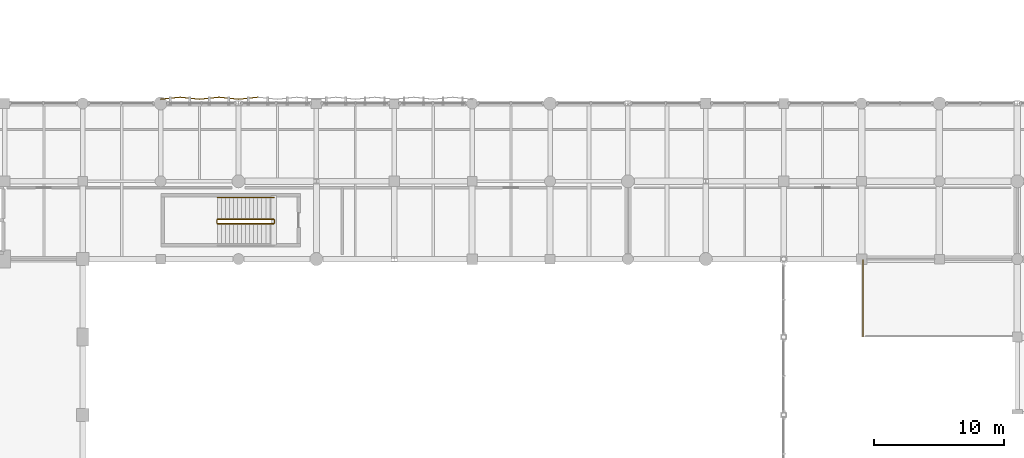
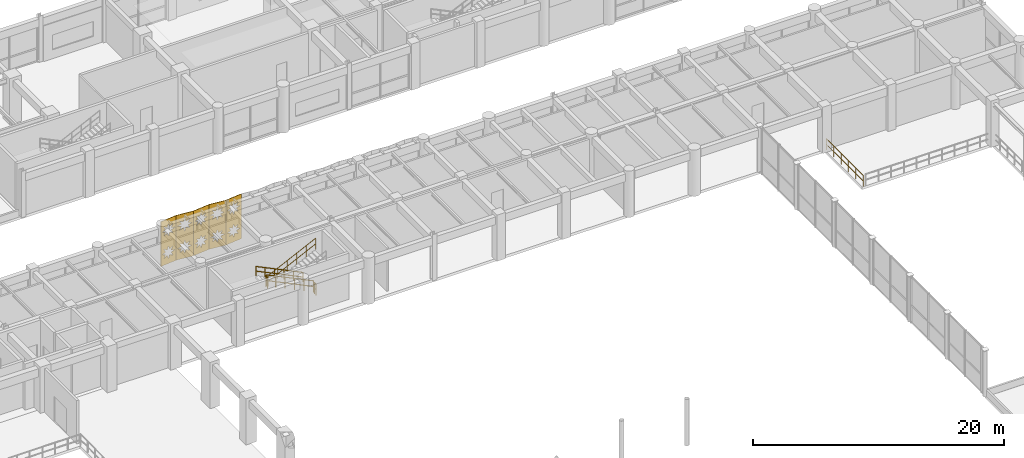
# One storey, part 128 of 133: 6 railings, 5 shading devices.
"""IFC4 building model written with IfcOpenShell, lengths in metres."""

from ifc_helpers import new_model, si_unit, direction, frame, origin, origin_2d, place, context, subcontext, project, spatial, polyline, circle, outline, extrude, material, layer, layer_set, type_object, element, save


model = new_model("IFC4")

# Units and contexts
model_context = context("Model", 3, precision=1e-05, world=origin(), true_north=direction((0.0, 1.0)))
body_context = subcontext(model_context, "Body", "Model", "MODEL_VIEW")
ifc_project = project(units=[si_unit("LENGTHUNIT", "METRE"), si_unit("AREAUNIT", "SQUARE_METRE"), si_unit("VOLUMEUNIT", "CUBIC_METRE"), si_unit("PLANEANGLEUNIT", "RADIAN"), si_unit("MASSUNIT", "GRAM", prefix="KILO"), si_unit("THERMODYNAMICTEMPERATUREUNIT", "KELVIN"), si_unit("POWERUNIT", "WATT")], contexts=[model_context])

# Site, building, storey
site_placement = place(None, origin())
site = spatial("IfcSite", under=ifc_project, at=site_placement, CompositionType="ELEMENT")
building_placement = place(site_placement, origin())
building = spatial("IfcBuilding", under=site, at=building_placement, Name="Phaisarnlok Congress Hotel", CompositionType="ELEMENT")
storey_placement = place(building_placement, frame((0.0, 0.0, 6.0)))
storey = spatial("IfcBuildingStorey", under=building, at=storey_placement, Name="L01", CompositionType="ELEMENT", Elevation=6.0)

# Railings
ifc_material_1 = material(Name="Laminated Glass & Stainless Steel Grade 316", Category="steel")
railing_type_1 = type_object("IfcRailingType", Name="RLG-INT-1100", PredefinedType="BALUSTRADE", material=ifc_material_1)
railing_1_placement = place(storey_placement, frame((126.1201171875, 78.050048828125, 0.0)))
element("IfcRailing", 1, at=railing_1_placement, inside=storey, type_object=railing_type_1, Name="Cloister gallery guard balustrade GD-02 (L01 north)", PredefinedType="BALUSTRADE", context=body_context, shape_type="SweptSolid", body=[
    extrude(circle(Radius=0.02392578125, at=origin_2d()), frame((0.0, 0.0, 1.076171875), z_axis=(0.0, 1.0, 0.0), x_axis=(-1.0, 0.0, 0.0)), (0.0, 0.0, 1.0), 5.869873046875),
    extrude(circle(Radius=0.02392578125, at=origin_2d()), frame((0.0, 0.0, 0.52587890625), z_axis=(0.0, 1.0, 0.0), x_axis=(-1.0, 0.0, 0.0)), (0.0, 0.0, 1.0), 5.869873046875),
    extrude(circle(Radius=0.02099609375, at=origin_2d()), origin(), (0.0, 0.0, 1.0), 1.052001953125),
    extrude(circle(Radius=0.02099609375, at=origin_2d()), frame((0.0, 1.174072265625, 0.0)), (0.0, 0.0, 1.0), 1.052001953125),
    extrude(circle(Radius=0.02099609375, at=origin_2d()), frame((0.0, 2.347900390625, 0.0)), (0.0, 0.0, 1.0), 1.052001953125),
    extrude(circle(Radius=0.02099609375, at=origin_2d()), frame((0.0, 3.52197265625, 0.0)), (0.0, 0.0, 1.0), 1.052001953125),
    extrude(circle(Radius=0.02099609375, at=origin_2d()), frame((0.0, 4.69580078125, 0.0)), (0.0, 0.0, 1.0), 1.052001953125),
    extrude(circle(Radius=0.02099609375, at=origin_2d()), frame((0.0, 5.869873046875, 0.0)), (0.0, 0.0, 1.0), 1.052001953125),
])
ifc_material_2 = material(Name="Painted Galvanised Steel S275", Category="steel")
railing_type_2 = type_object("IfcRailingType", Name="RLG-STR-GUARD", PredefinedType="BALUSTRADE", material=ifc_material_2)
railing_2_placement = place(storey_placement, frame((80.719970703125, 87.070068359375, 0.14990234375)))
element("IfcRailing", 2, at=railing_2_placement, inside=storey, type_object=railing_type_2, Name="L01 ST-11 stair guard 1", PredefinedType="BALUSTRADE", context=body_context, shape_type="SweptSolid", body=[
    extrude(circle(Radius=0.02392578125, at=origin_2d()), frame((0.0, 0.0, 1.076171875), z_axis=(-0.900154768424, 0.0, 0.435570192832), x_axis=(0.0, -1.0, 0.0)), (0.0, 0.0, 1.0), 4.821533203125),
    extrude(circle(Radius=0.02392578125, at=origin_2d()), frame((0.0, 0.0, 0.52587890625), z_axis=(-0.900154768424, 0.0, 0.435570192832), x_axis=(0.0, -1.0, 0.0)), (0.0, 0.0, 1.0), 4.821533203125),
    extrude(circle(Radius=0.02099609375, at=origin_2d()), origin(), (0.0, 0.0, 1.0), 1.052001953125),
    extrude(circle(Radius=0.02099609375, at=origin_2d()), frame((-0.867919921875, 0.0, 0.419921875)), (0.0, 0.0, 1.0), 1.052001953125),
    extrude(circle(Radius=0.02099609375, at=origin_2d()), frame((-1.736083984375, 0.0, 0.840087890625)), (0.0, 0.0, 1.0), 1.052001953125),
    extrude(circle(Radius=0.02099609375, at=origin_2d()), frame((-2.60400390625, 0.0, 1.260009765625)), (0.0, 0.0, 1.0), 1.052001953125),
    extrude(circle(Radius=0.02099609375, at=origin_2d()), frame((-3.47216796875, 0.0, 1.68017578125)), (0.0, 0.0, 1.0), 1.052001953125),
    extrude(circle(Radius=0.02099609375, at=origin_2d()), frame((-4.340087890625, 0.0, 2.10009765625)), (0.0, 0.0, 1.0), 1.052001953125),
])
railing_3_placement = place(storey_placement, frame((76.330078125, 87.02001953125, 2.25)))
element("IfcRailing", 3, at=railing_3_placement, inside=storey, type_object=railing_type_2, Name="L01 ST-11 stair guard 2", PredefinedType="BALUSTRADE", context=body_context, shape_type="SweptSolid", body=[
    extrude(circle(Radius=0.02392578125, at=origin_2d()), frame((0.0, 0.0, 1.076171875), z_axis=(0.0, -1.0, 0.0), x_axis=(1.0, 0.0, 0.0)), (0.0, 0.0, 1.0), 0.239990234375),
    extrude(circle(Radius=0.02392578125, at=origin_2d()), frame((0.0, 0.0, 0.52587890625), z_axis=(0.0, -1.0, 0.0), x_axis=(1.0, 0.0, 0.0)), (0.0, 0.0, 1.0), 0.239990234375),
    extrude(circle(Radius=0.02099609375, at=origin_2d()), origin(), (0.0, 0.0, 1.0), 1.052001953125),
    extrude(circle(Radius=0.02099609375, at=origin_2d()), frame((0.0, -0.239990234375, 0.0)), (0.0, 0.0, 1.0), 1.052001953125),
])
railing_4_placement = place(storey_placement, frame((76.3798828125, 86.72998046875, 2.39990234375)))
element("IfcRailing", 4, at=railing_4_placement, inside=storey, type_object=railing_type_2, Name="L01 ST-11 stair guard 3", PredefinedType="BALUSTRADE", context=body_context, shape_type="SweptSolid", body=[
    extrude(circle(Radius=0.02392578125, at=origin_2d()), frame((0.0, 0.0, 1.076171875), z_axis=(0.900154768424, 0.0, 0.435570192832), x_axis=(0.0, 1.0, 0.0)), (0.0, 0.0, 1.0), 4.821533203125),
    extrude(circle(Radius=0.02392578125, at=origin_2d()), frame((0.0, 0.0, 0.52587890625), z_axis=(0.900154768424, 0.0, 0.435570192832), x_axis=(0.0, 1.0, 0.0)), (0.0, 0.0, 1.0), 4.821533203125),
    extrude(circle(Radius=0.02099609375, at=origin_2d()), origin(), (0.0, 0.0, 1.0), 1.052001953125),
    extrude(circle(Radius=0.02099609375, at=origin_2d()), frame((0.867919921875, 0.0, 0.419921875)), (0.0, 0.0, 1.0), 1.052001953125),
    extrude(circle(Radius=0.02099609375, at=origin_2d()), frame((1.736083984375, 0.0, 0.840087890625)), (0.0, 0.0, 1.0), 1.052001953125),
    extrude(circle(Radius=0.02099609375, at=origin_2d()), frame((2.60400390625, 0.0, 1.260009765625)), (0.0, 0.0, 1.0), 1.052001953125),
    extrude(circle(Radius=0.02099609375, at=origin_2d()), frame((3.47216796875, 0.0, 1.68017578125)), (0.0, 0.0, 1.0), 1.052001953125),
    extrude(circle(Radius=0.02099609375, at=origin_2d()), frame((4.340087890625, 0.0, 2.10009765625)), (0.0, 0.0, 1.0), 1.052001953125),
])
railing_5_placement = place(storey_placement, frame((80.77001953125, 87.02001953125, 0.0)))
element("IfcRailing", 5, at=railing_5_placement, inside=storey, type_object=railing_type_2, Name="L01 ST-11 stair guard 4", PredefinedType="BALUSTRADE", context=body_context, shape_type="SweptSolid", body=[
    extrude(circle(Radius=0.02392578125, at=origin_2d()), frame((0.0, 0.0, 1.076171875), z_axis=(0.0, -1.0, 0.0), x_axis=(1.0, 0.0, 0.0)), (0.0, 0.0, 1.0), 0.239990234375),
    extrude(circle(Radius=0.02392578125, at=origin_2d()), frame((0.0, 0.0, 0.52587890625), z_axis=(0.0, -1.0, 0.0), x_axis=(1.0, 0.0, 0.0)), (0.0, 0.0, 1.0), 0.239990234375),
    extrude(circle(Radius=0.02099609375, at=origin_2d()), origin(), (0.0, 0.0, 1.0), 1.052001953125),
    extrude(circle(Radius=0.02099609375, at=origin_2d()), frame((0.0, -0.239990234375, 0.0)), (0.0, 0.0, 1.0), 1.052001953125),
])
ifc_material_3 = material(Name="Brushed Stainless Steel Grade 304", Category="steel")
railing_type_3 = type_object("IfcRailingType", Name="RLG-STR-HRAIL", PredefinedType="HANDRAIL", material=ifc_material_3)
railing_6_placement = place(storey_placement, frame((80.719970703125, 88.75, 0.14990234375)))
element("IfcRailing", 6, at=railing_6_placement, inside=storey, type_object=railing_type_3, Name="L01 ST-11 stair handrail 1", PredefinedType="HANDRAIL", context=body_context, shape_type="SweptSolid", body=[
    extrude(circle(Radius=0.02392578125, at=origin_2d()), frame((0.0, 0.0, 0.8759765625), z_axis=(-0.900154768424, 0.0, 0.435570192832), x_axis=(0.0, -1.0, 0.0)), (0.0, 0.0, 1.0), 4.821533203125),
    extrude(circle(Radius=0.02392578125, at=origin_2d()), frame((0.0, 0.0, 0.42578125), z_axis=(-0.900154768424, 0.0, 0.435570192832), x_axis=(0.0, -1.0, 0.0)), (0.0, 0.0, 1.0), 4.821533203125),
    extrude(circle(Radius=0.02099609375, at=origin_2d()), origin(), (0.0, 0.0, 1.0), 0.851806640625),
    extrude(circle(Radius=0.02099609375, at=origin_2d()), frame((-0.867919921875, 0.0, 0.419921875)), (0.0, 0.0, 1.0), 0.851806640625),
    extrude(circle(Radius=0.02099609375, at=origin_2d()), frame((-1.736083984375, 0.0, 0.840087890625)), (0.0, 0.0, 1.0), 0.851806640625),
    extrude(circle(Radius=0.02099609375, at=origin_2d()), frame((-2.60400390625, 0.0, 1.260009765625)), (0.0, 0.0, 1.0), 0.851806640625),
    extrude(circle(Radius=0.02099609375, at=origin_2d()), frame((-3.47216796875, 0.0, 1.68017578125)), (0.0, 0.0, 1.0), 0.851806640625),
    extrude(circle(Radius=0.02099609375, at=origin_2d()), frame((-4.340087890625, 0.0, 2.10009765625)), (0.0, 0.0, 1.0), 0.851806640625),
])

# Shading devices
ifc_material_4 = material(Name="PVDF White Perforated Aluminium Alloy 5052", Category="aluminium")
ifc_layer = layer(ifc_material_4, 0.0400390625, Name="PVDF White Perforated Aluminium Alloy 5052")
ifc_layer_set = layer_set([ifc_layer], Name="PVDF White Perforated Aluminium Alloy 5052")
shading_device_type = type_object("IfcShadingDeviceType", Name="SHD-STAR-FOLD", PredefinedType="JALOUSIE", material=ifc_layer_set)
for number, where, z_axis, x_axis, name in (
    (7, (73.5, 96.457763671875, 0.06005859375), (-0.104566819602, 0.994517863207, 0.0), (-0.994517863207, -0.104566819602, 0.0), "Folded star-perforated hall screen SS-01 (V4N L01)"),
    (8, (75.0, 96.300048828125, 0.06005859375), (0.104566819602, 0.994517863207, 0.0), (-0.994517863207, 0.104566819602, 0.0), "Folded star-perforated hall screen SS-01 (V4N L01)"),
    (9, (76.5, 96.457763671875, 0.06005859375), (-0.104566819602, 0.994517863207, 0.0), (-0.994517863207, -0.104566819602, 0.0), "Folded star-perforated hall screen SS-01 (V4N L01)"),
    (10, (78.0, 96.300048828125, 0.06005859375), (0.104566819602, 0.994517863207, 0.0), (-0.994517863207, 0.104566819602, 0.0), "Folded star-perforated hall screen SS-01 (V4N L01)"),
    (11, (79.5, 96.457763671875, 0.06005859375), (-0.104566819602, 0.994517863207, 0.0), (-0.994517863207, -0.104566819602, 0.0), "Folded star-perforated hall screen SS-01 (V4N L01)"),
):
    element("IfcShadingDevice", number, at=place(storey_placement, frame(where, z_axis=z_axis, x_axis=x_axis)), inside=storey, type_object=shading_device_type, Name=name, PredefinedType="JALOUSIE", context=body_context, shape_type="SweptSolid", body=[
        extrude(outline(polyline([(0.0, 0.0), (1.5082685344258453, 0.0), (1.5082685344258453, 4.35986328125), (0.0, 4.35986328125), (0.0, 0.0)]), holes=[polyline([(1.0351, 0.9736), (1.2021, 0.6421), (0.8705, 0.8091), (0.7541, 0.4565), (0.6378, 0.8091), (0.3062, 0.6421), (0.4732, 0.9736), (0.1207, 1.09), (0.4732, 1.2064), (0.3062, 1.5379), (0.6378, 1.3709), (0.7541, 1.7235), (0.8705, 1.3709), (1.2021, 1.5379), (1.0351, 1.2064), (1.3876, 1.09), (1.0351, 0.9736)]), polyline([(1.0351, 3.1536), (1.2021, 2.8221), (0.8705, 2.9891), (0.7541, 2.6365), (0.6378, 2.9891), (0.3062, 2.8221), (0.4732, 3.1536), (0.1207, 3.27), (0.4732, 3.3864), (0.3062, 3.7179), (0.6378, 3.5509), (0.7541, 3.9035), (0.8705, 3.5509), (1.2021, 3.7179), (1.0351, 3.3864), (1.3876, 3.27), (1.0351, 3.1536)])]), origin(), (0.0, 0.0, 1.0), 0.0400390625),
    ])

save(model, "model.ifc")
